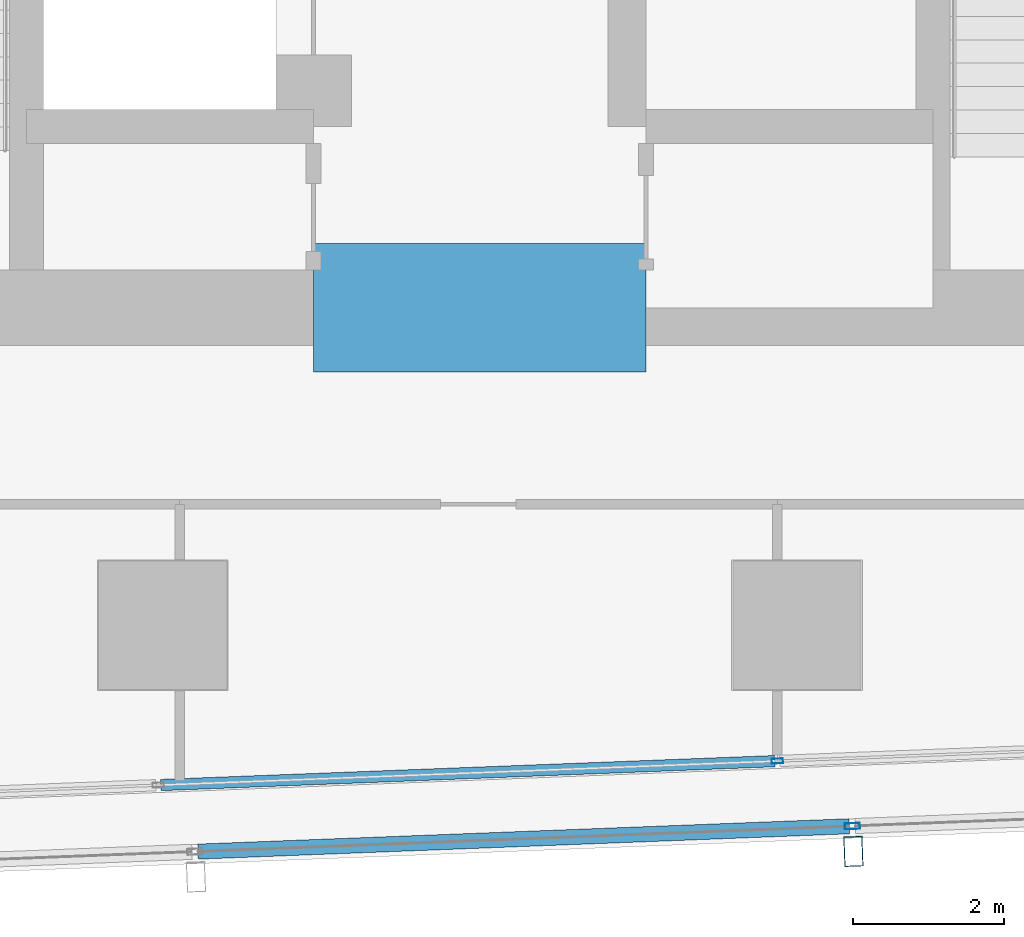
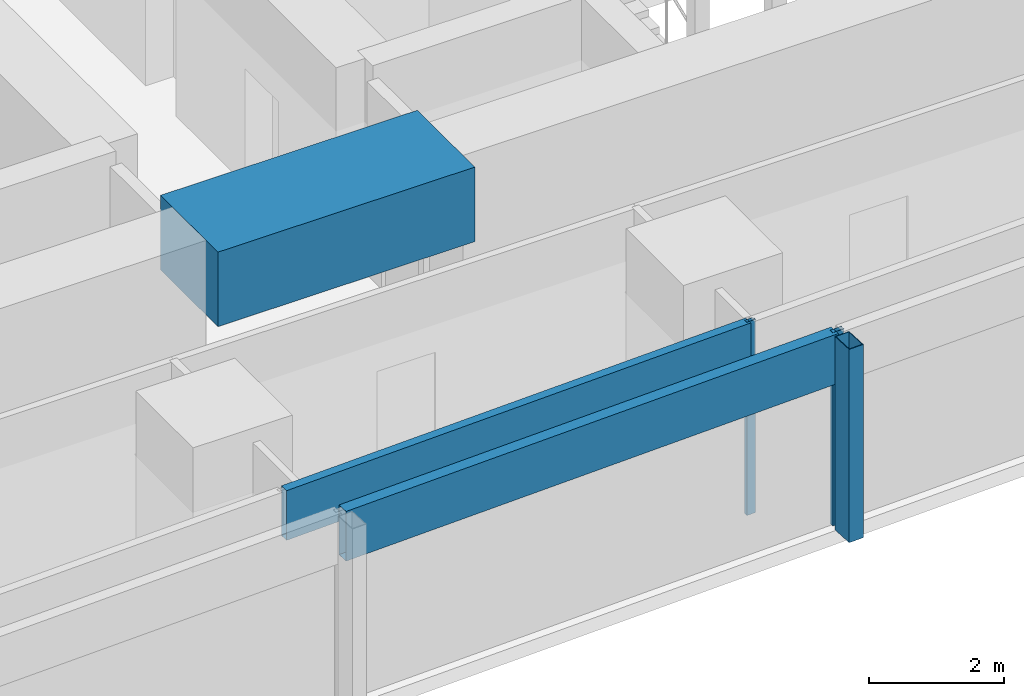
# One storey, part 9 of 40: 5 members, 1 beam, 2 elements without a shape of their own.
"""IFC4 building model written with IfcOpenShell, lengths in metres."""

from ifc_helpers import new_model, si_unit, direction, frame, origin, origin_2d, place, context, subcontext, project, spatial, rectangle, hollow_rectangle, extrude, material, material_profile, profile_set, type_object, element, aggregate, save


model = new_model("IFC4")

# Units and contexts
model_context = context("Model", 3, precision=1e-05, world=origin(), true_north=direction((0.0, 1.0)))
body_context = subcontext(model_context, "Body", "Model", "MODEL_VIEW")
ifc_project = project(units=[si_unit("LENGTHUNIT", "METRE"), si_unit("AREAUNIT", "SQUARE_METRE"), si_unit("VOLUMEUNIT", "CUBIC_METRE"), si_unit("PLANEANGLEUNIT", "RADIAN"), si_unit("MASSUNIT", "GRAM", prefix="KILO")], contexts=[model_context])

# Site, building, storey
site_placement = place(None, origin())
site = spatial("IfcSite", under=ifc_project, at=site_placement, CompositionType="ELEMENT")
building_placement = place(site_placement, origin())
building = spatial("IfcBuilding", under=site, at=building_placement, Name="Rekha Terrace Tower", CompositionType="ELEMENT")
storey_placement = place(building_placement, frame((0.0, 0.0, 99.050048828125)))
storey = spatial("IfcBuildingStorey", under=building, at=storey_placement, Name="L24", CompositionType="ELEMENT", Elevation=99.050048828125)

# Curtain wall, member
ifc_material_1 = material(Name="Aluminium framing", Category="aluminium")
curtain_wall_type_1 = type_object("IfcCurtainWallType", Name="CW2 double skin outer glazing", PredefinedType="USERDEFINED", material=ifc_material_1)
curtain_wall_1_placement = place(storey_placement, origin())
curtain_wall_1 = element("IfcCurtainWall", 1, at=curtain_wall_1_placement, inside=storey, type_object=curtain_wall_type_1, Name="CW2 double skin outer glazing", ObjectType="DOUBLE SKIN OUTER GLAZING", PredefinedType="USERDEFINED")
ifc_material_2 = material(Name="Steel S355 with fluorocarbon finish", Category="steel")
ifc_material_profile_1 = material_profile(ifc_material_2, hollow_rectangle(XDim=0.25, YDim=0.39990234375, WallThickness=0.012451171875, at=origin_2d()), Name="RHS400x250x12.5")
ifc_profile_set_1 = profile_set([ifc_material_profile_1], Name="Steel S355 with fluorocarbon finish")
member_type_1 = type_object("IfcMemberType", Name="BL1 facade blade RHS 400 x 250", PredefinedType="USERDEFINED", material=ifc_profile_set_1)
member_1_placement = place(storey_placement, frame((42.747314453125, 13.802978515625, 0.0), z_axis=(0.0, 0.0, 1.0), x_axis=(0.999243494356, 0.038890088543, 0.0)))
member_1 = element("IfcMember", 2, at=member_1_placement, type_object=member_type_1, Name="Facade blade", ObjectType="FACADE BLADE", PredefinedType="USERDEFINED", context=body_context, shape_type="SweptSolid", body=[
    extrude(hollow_rectangle(XDim=0.25, YDim=0.39990234375, WallThickness=0.012451171875, at=origin_2d()), origin(), (0.0, 0.0, 1.0), 3.5),
])

# Curtain wall, members
curtain_wall_type_2 = type_object("IfcCurtainWallType", Name="CW1 double skin inner glazing", PredefinedType="USERDEFINED", material=ifc_material_1)
curtain_wall_2_placement = place(storey_placement, origin())
curtain_wall_2 = element("IfcCurtainWall", 3, at=curtain_wall_2_placement, inside=storey, type_object=curtain_wall_type_2, Name="CW1 double skin inner glazing", ObjectType="DOUBLE SKIN INNER GLAZING", PredefinedType="USERDEFINED")
ifc_material_3 = material(Name="Aluminium mullion section", Category="aluminium")
ifc_material_profile_2 = material_profile(ifc_material_3, hollow_rectangle(XDim=0.06494140625, YDim=0.14990234375, WallThickness=0.00390625, at=origin_2d()), Name="AL RHS 65x150")
ifc_profile_set_2 = profile_set([ifc_material_profile_2], Name="Aluminium mullion section")
member_type_2 = type_object("IfcMemberType", Name="CW1 mullion RHS 65 x 150", PredefinedType="MULLION", material=ifc_profile_set_2)
member_2_placement = place(storey_placement, frame((41.740234375, 14.999755859375, 0.0), z_axis=(0.0, 0.0, 1.0), x_axis=(-0.038889971345, 0.999243498917, 0.0)))
member_2 = element("IfcMember", 4, at=member_2_placement, type_object=member_type_2, Name="CW1 mullion 3", PredefinedType="MULLION", context=body_context, shape_type="SweptSolid", body=[
    extrude(hollow_rectangle(XDim=0.06494140625, YDim=0.14990234375, WallThickness=0.00390625, at=origin_2d()), origin(), (0.0, 0.0, 1.0), 3.5),
])
ifc_material_4 = material(Name="Insulated aluminium spandrel box", Category="aluminium")
ifc_material_profile_3 = material_profile(ifc_material_4, hollow_rectangle(XDim=0.14990234375, YDim=0.89990234375, WallThickness=0.0029296875, at=origin_2d()), Name="AL SPANDREL BOX 150x900")
ifc_profile_set_3 = profile_set([ifc_material_profile_3], Name="Insulated aluminium spandrel box")
member_type_3 = type_object("IfcMemberType", Name="CW1 spandrel transom 150 x 900", PredefinedType="USERDEFINED", material=ifc_profile_set_3)
member_3_placement = place(storey_placement, frame((33.576416015625, 14.68212890625, 3.050048828125), z_axis=(0.999243790362, 0.038882482205, 0.0), x_axis=(-0.038882482205, 0.999243790362, 0.0)))
member_3 = element("IfcMember", 5, at=member_3_placement, type_object=member_type_3, Name="CW1 spandrel transom 2", ObjectType="TRANSOM", PredefinedType="USERDEFINED", context=body_context, shape_type="SweptSolid", body=[
    extrude(hollow_rectangle(XDim=0.14990234375, YDim=0.89990234375, WallThickness=0.0029296875, at=origin_2d()), origin(), (0.0, 0.0, 1.0), 8.137451171875),
])
aggregate(curtain_wall_2, [member_2, member_3])

# Member
ifc_material_profile_4 = material_profile(ifc_material_3, hollow_rectangle(XDim=0.080078125, YDim=0.199951171875, WallThickness=0.00390625, at=origin_2d()), Name="AL RHS 80x200")
ifc_profile_set_4 = profile_set([ifc_material_profile_4], Name="Aluminium mullion section")
member_type_4 = type_object("IfcMemberType", Name="CW2 mullion RHS 80 x 200", PredefinedType="MULLION", material=ifc_profile_set_4)
member_4_placement = place(storey_placement, frame((42.734130859375, 14.137939453125, 0.0), z_axis=(0.0, 0.0, 1.0), x_axis=(-0.038889971345, 0.999243498917, 0.0)))
member_4 = element("IfcMember", 6, at=member_4_placement, type_object=member_type_4, Name="CW2 mullion 3", PredefinedType="MULLION", context=body_context, shape_type="SweptSolid", body=[
    extrude(hollow_rectangle(XDim=0.080078125, YDim=0.199951171875, WallThickness=0.00390625, at=origin_2d()), origin(), (0.0, 0.0, 1.0), 3.5),
])

ifc_material_profile_5 = material_profile(ifc_material_4, hollow_rectangle(XDim=0.199951171875, YDim=0.89990234375, WallThickness=0.0029296875, at=origin_2d()), Name="AL SPANDREL BOX 200x900")
ifc_profile_set_5 = profile_set([ifc_material_profile_5], Name="Insulated aluminium spandrel box")
member_type_5 = type_object("IfcMemberType", Name="CW2 spandrel transom 200 x 900", PredefinedType="USERDEFINED", material=ifc_profile_set_5)
member_5_placement = place(storey_placement, frame((34.069091796875, 13.800537109375, 3.050048828125), z_axis=(0.999243438523, 0.038891523097, 0.0), x_axis=(-0.038891523097, 0.999243438523, 0.0)))
member_5 = element("IfcMember", 7, at=member_5_placement, type_object=member_type_5, Name="CW2 spandrel transom 2", ObjectType="TRANSOM", PredefinedType="USERDEFINED", context=body_context, shape_type="SweptSolid", body=[
    extrude(hollow_rectangle(XDim=0.199951171875, YDim=0.89990234375, WallThickness=0.0029296875, at=origin_2d()), origin(), (0.0, 0.0, 1.0), 8.631591796875),
])

aggregate(curtain_wall_1, [member_4, member_5, member_1])

# Beam
ifc_material_5 = material(Name="Concrete M70", Category="concrete")
ifc_material_profile_6 = material_profile(ifc_material_5, rectangle(XDim=1.699951171875, YDim=1.35009765625, at=origin_2d()), Name="RC 1700x1350")
ifc_profile_set_6 = profile_set([ifc_material_profile_6], Name="Concrete M70")
beam_type = type_object("IfcBeamType", Name="LB2A 1700x1350 diagonally reinforced coupling beam", PredefinedType="LINTEL", material=ifc_profile_set_6)
beam_placement = place(storey_placement, frame((35.60009765625, 21.0, 3.074951171875), z_axis=(1.0, 0.0, 0.0), x_axis=(0.0, 1.0, 0.0)))
element("IfcBeam", 8, at=beam_placement, inside=storey, type_object=beam_type, Name="Coupling beam LB2A S L24", PredefinedType="LINTEL", context=body_context, shape_type="SweptSolid", body=[
    extrude(rectangle(XDim=1.699951171875, YDim=1.35009765625, at=origin_2d()), origin(), (0.0, 0.0, 1.0), 4.39990234375),
])

save(model, "model.ifc")
